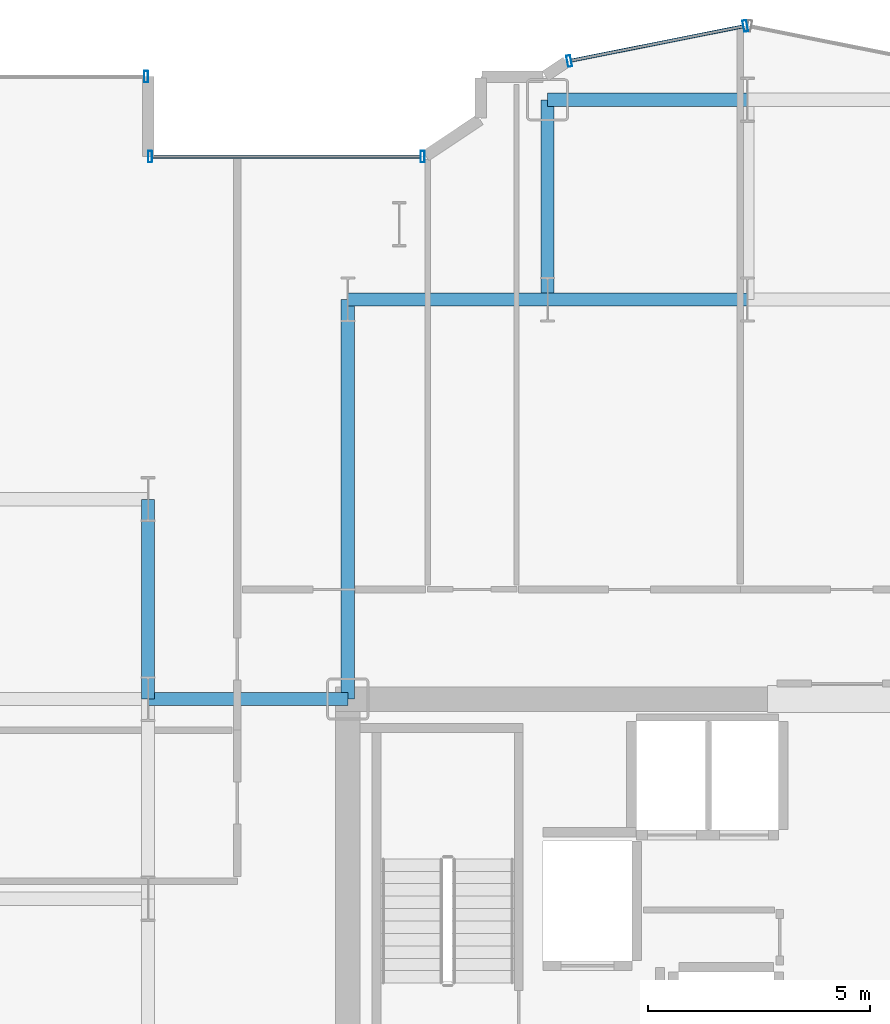
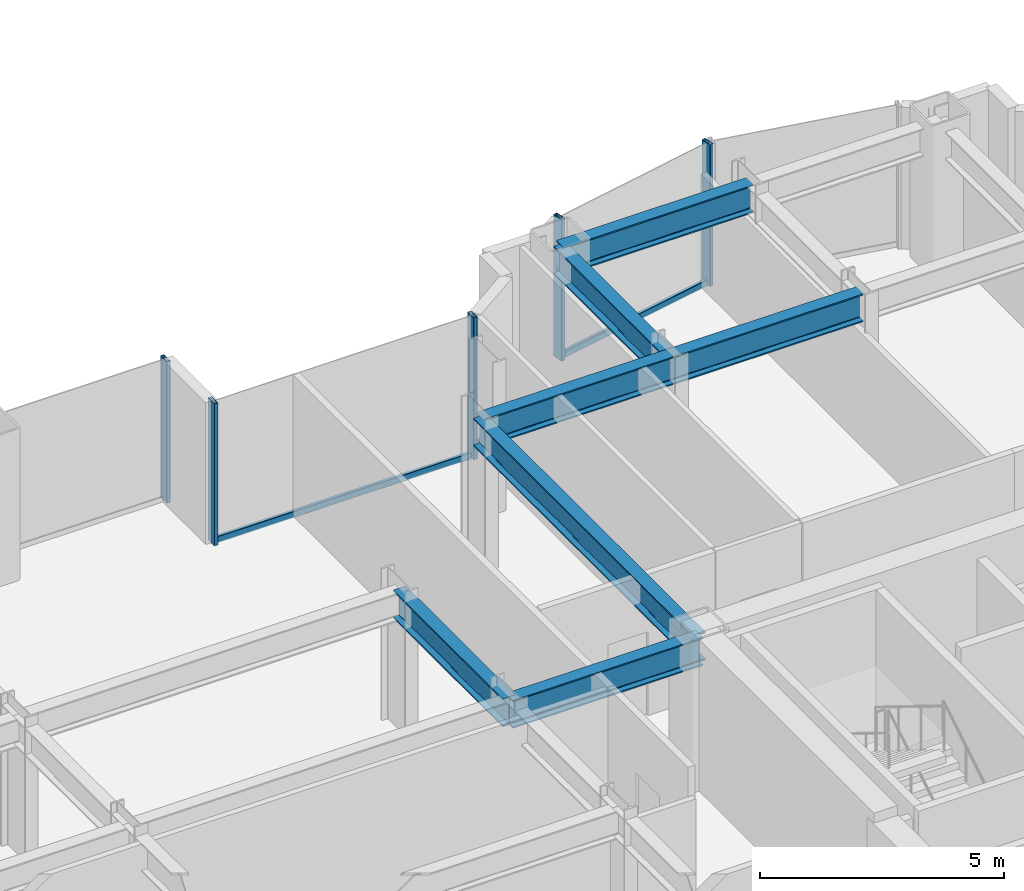
# One storey, part 10 of 25: 7 beams, 7 members, 3 elements without a shape of their own.
"""IFC4 building model written with IfcOpenShell, lengths in metres."""

from ifc_helpers import new_model, si_unit, direction, frame, origin, origin_2d, place, context, subcontext, project, spatial, hollow_rectangle, i_section, extrude, source, transform, mapped, material, layer, layer_set, material_profile, profile_set, type_object, element, aggregate, save


model = new_model("IFC4")

# Units and contexts
model_context = context("Model", 3, precision=1e-05, world=origin(), true_north=direction((0.0, 1.0)))
body_context = subcontext(model_context, "Body", "Model", "MODEL_VIEW")
ifc_project = project(units=[si_unit("LENGTHUNIT", "METRE"), si_unit("AREAUNIT", "SQUARE_METRE"), si_unit("VOLUMEUNIT", "CUBIC_METRE"), si_unit("PLANEANGLEUNIT", "RADIAN"), si_unit("MASSUNIT", "GRAM", prefix="KILO")], contexts=[model_context])

# Site, building, storey
site_placement = place(None, origin())
site = spatial("IfcSite", under=ifc_project, at=site_placement, CompositionType="ELEMENT")
building_placement = place(site_placement, origin())
building = spatial("IfcBuilding", under=site, at=building_placement, Name="Nefas-Gora Pilgrimage Tower", CompositionType="ELEMENT")
storey_placement = place(building_placement, frame((0.0, 0.0, 98.39990234375)))
storey = spatial("IfcBuildingStorey", under=building, at=storey_placement, Name="L23", CompositionType="ELEMENT", Elevation=98.39990234375)

# Beams
ifc_material_1 = material(Name="Steel S355", Category="steel")
ifc_material_profile_1 = material_profile(ifc_material_1, i_section(OverallWidth=0.300048828125, OverallDepth=0.699951171875, WebThickness=0.01708984375, FlangeThickness=0.031982421875, FilletRadius=0.027099609375, at=origin_2d()), Name="HEB 700")
ifc_profile_set_1 = profile_set([ifc_material_profile_1], Name="Steel S355")
beam_type = type_object("IfcBeamType", Name="BM-GIR-HEB700", PredefinedType="BEAM", material=ifc_profile_set_1)
shared_shape_1 = source(origin(), body_context, "Body", "SweptSolid", [
    extrude(i_section(OverallWidth=0.300048828125, OverallDepth=0.699951171875, WebThickness=0.01708984375, FlangeThickness=0.031982421875, FilletRadius=0.027099609375, at=origin_2d()), origin(), (0.0, 0.0, 1.0), 9.0),
])
beam_placement = place(storey_placement, frame((-11.25, 9.0, 3.2001953125), z_axis=(0.0, 1.0, 0.0), x_axis=(-1.0, 0.0, 0.0)))
element("IfcBeam", 1, at=beam_placement, inside=storey, type_object=beam_type, Name="L23 G-02 beam", PredefinedType="BEAM", context=body_context, shape_type="MappedRepresentation", body=[
    mapped(shared_shape_1, transform((0.0, 0.0, 0.0), x_axis=(1.0, 0.0, 0.0), y_axis=(0.0, 1.0, 0.0), z_axis=(0.0, 0.0, 1.0), scale=1.0)),
])
shared_shape_2 = source(origin(), body_context, "Body", "SweptSolid", [
    extrude(i_section(OverallWidth=0.300048828125, OverallDepth=0.699951171875, WebThickness=0.01708984375, FlangeThickness=0.031982421875, FilletRadius=0.027099609375, at=origin_2d()), origin(), (0.0, 0.0, 1.0), 4.5),
])
for number, where, z_axis, x_axis, name in (
    (2, (-15.75, 9.0, 3.2001953125), (0.0, 1.0, 0.0), (-1.0, 0.0, 0.0), "L23 G-02 beam"),
    (3, (-15.75, 9.0, 3.2001953125), (1.0, 0.0, 0.0), (0.0, 1.0, 0.0), "L23 G-02 beam"),
    (4, (-11.25, 18.0, 3.2001953125), (1.0, 0.0, 0.0), (0.0, 1.0, 0.0), "L23 G-02 beam"),
    (5, (-6.75, 18.0, 3.2001953125), (0.0, 1.0, 0.0), (-1.0, 0.0, 0.0), "L23 G-02 beam"),
    (6, (-6.75, 18.0, 3.2001953125), (1.0, 0.0, 0.0), (0.0, 1.0, 0.0), "L23 G-02 beam"),
    (7, (-6.75, 22.5, 3.2001953125), (1.0, 0.0, 0.0), (0.0, 1.0, 0.0), "L23 G-02 beam"),
):
    element("IfcBeam", number, at=place(storey_placement, frame(where, z_axis=z_axis, x_axis=x_axis)), inside=storey, type_object=beam_type, Name=name, PredefinedType="BEAM", context=body_context, shape_type="MappedRepresentation", body=[
        mapped(shared_shape_2, transform((0.0, 0.0, 0.0), x_axis=(1.0, 0.0, 0.0), y_axis=(0.0, 1.0, 0.0), z_axis=(0.0, 0.0, 1.0), scale=1.0)),
    ])

# Curtain wall, members
ifc_material_2 = material(Name="Dark ceramic-fritted solar-control aluminium-glass curtain wall", Category="aluminium")
ifc_layer_1 = layer(ifc_material_2, 0.219970703125)
ifc_layer_set_1 = layer_set([ifc_layer_1], Name="Dark ceramic-fritted solar-control aluminium-glass curtain wall")
curtain_wall_type_1 = type_object("IfcCurtainWallType", Name="CW-SYS-5", PredefinedType="NOTDEFINED", material=ifc_layer_set_1)
curtain_wall_1_placement = place(storey_placement, origin())
curtain_wall_1 = element("IfcCurtainWall", 8, at=curtain_wall_1_placement, inside=storey, type_object=curtain_wall_type_1, Name="L23 Unitised Curtain Wall CW5", PredefinedType="NOTDEFINED")
ifc_material_3 = material(Name="Anodised architectural aluminium", Category="aluminium")
ifc_material_profile_2 = material_profile(ifc_material_3, hollow_rectangle(XDim=0.090087890625, YDim=0.260009765625, WallThickness=0.006103515625, InnerFilletRadius=0.006103515625, OuterFilletRadius=0.011962890625, at=origin_2d()), Name="ALU MULLION 90x260")
ifc_profile_set_2 = profile_set([ifc_material_profile_2], Name="Anodised architectural aluminium")
member_type_1 = type_object("IfcMemberType", Name="CWM-MUL-5", PredefinedType="MULLION", material=ifc_profile_set_2)
shared_shape_3 = source(origin(), body_context, "Body", "SweptSolid", [
    extrude(hollow_rectangle(XDim=0.090087890625, YDim=0.260009765625, WallThickness=0.006103515625, InnerFilletRadius=0.006103515625, OuterFilletRadius=0.011962890625, at=origin_2d()), origin(), (0.0, 0.0, 1.0), 3.550048828125),
])
member_1_placement = place(storey_placement, frame((-2.294189453125, 24.16357421875, 0.0), z_axis=(0.0, 0.0, 1.0), x_axis=(-0.980782896852, -0.195102304554, 0.0)))
member_1 = element("IfcMember", 9, at=member_1_placement, type_object=member_type_1, Name="CW5 Mullion 1", PredefinedType="MULLION", context=body_context, shape_type="MappedRepresentation", body=[
    mapped(shared_shape_3, transform((0.0, 0.0, 0.0), x_axis=(1.0, 0.0, 0.0), y_axis=(0.0, 1.0, 0.0), z_axis=(0.0, 0.0, 1.0), scale=1.0)),
])
member_2_placement = place(storey_placement, frame((-6.26318359375, 23.3740234375, 0.0), z_axis=(0.0, 0.0, 1.0), x_axis=(-0.980782896852, -0.195102304554, 0.0)))
member_2 = element("IfcMember", 10, at=member_2_placement, type_object=member_type_1, Name="CW5 Mullion 2", PredefinedType="MULLION", context=body_context, shape_type="MappedRepresentation", body=[
    mapped(shared_shape_3, transform((0.0, 0.0, 0.0), x_axis=(1.0, 0.0, 0.0), y_axis=(0.0, 1.0, 0.0), z_axis=(0.0, 0.0, 1.0), scale=1.0)),
])

curtain_wall_2_placement = place(storey_placement, origin())
curtain_wall_2 = element("IfcCurtainWall", 11, at=curtain_wall_2_placement, inside=storey, type_object=curtain_wall_type_1, Name="L23 Unitised Curtain Wall CW5", PredefinedType="NOTDEFINED")
member_3_placement = place(storey_placement, frame((-9.56298828125, 21.219970703125, 0.0), z_axis=(0.0, 0.0, 1.0), x_axis=(-1.0, 0.0, 0.0)))
member_3 = element("IfcMember", 12, at=member_3_placement, type_object=member_type_1, Name="CW5 Mullion 1", PredefinedType="MULLION", context=body_context, shape_type="MappedRepresentation", body=[
    mapped(shared_shape_3, transform((0.0, 0.0, 0.0), x_axis=(1.0, 0.0, 0.0), y_axis=(0.0, 1.0, 0.0), z_axis=(0.0, 0.0, 1.0), scale=1.0)),
])
member_4_placement = place(storey_placement, frame((-15.705078125, 21.219970703125, 0.0), z_axis=(0.0, 0.0, 1.0), x_axis=(-1.0, 0.0, 0.0)))
member_4 = element("IfcMember", 13, at=member_4_placement, type_object=member_type_1, Name="CW5 Mullion 2", PredefinedType="MULLION", context=body_context, shape_type="MappedRepresentation", body=[
    mapped(shared_shape_3, transform((0.0, 0.0, 0.0), x_axis=(1.0, 0.0, 0.0), y_axis=(0.0, 1.0, 0.0), z_axis=(0.0, 0.0, 1.0), scale=1.0)),
])
ifc_material_profile_3 = material_profile(ifc_material_3, hollow_rectangle(XDim=0.080078125, YDim=0.159912109375, WallThickness=0.00439453125, InnerFilletRadius=0.00439453125, OuterFilletRadius=0.009033203125, at=origin_2d()), Name="ALU TRANSOM 80x160")
ifc_profile_set_3 = profile_set([ifc_material_profile_3], Name="Anodised architectural aluminium")
member_type_2 = type_object("IfcMemberType", Name="CWM-TRN-5", PredefinedType="USERDEFINED", material=ifc_profile_set_3)
shared_shape_4 = source(origin(), body_context, "Body", "SweptSolid", [
    extrude(hollow_rectangle(XDim=0.080078125, YDim=0.159912109375, WallThickness=0.00439453125, InnerFilletRadius=0.00439453125, OuterFilletRadius=0.009033203125, at=origin_2d()), origin(), (0.0, 0.0, 1.0), 6.052001953125),
])
member_5_placement = place(storey_placement, frame((-9.60791015625, 21.219970703125, 0.050048828125), z_axis=(-1.0, 0.0, 0.0), x_axis=(0.0, -1.0, 0.0)))
member_5 = element("IfcMember", 14, at=member_5_placement, type_object=member_type_2, Name="CW5 Spandrel Transom", ObjectType="TRANSOM", PredefinedType="USERDEFINED", context=body_context, shape_type="MappedRepresentation", body=[
    mapped(shared_shape_4, transform((0.0, 0.0, 0.0), x_axis=(1.0, 0.0, 0.0), y_axis=(0.0, 1.0, 0.0), z_axis=(0.0, 0.0, 1.0), scale=1.0)),
])
aggregate(curtain_wall_2, [member_3, member_4, member_5])

# Curtain wall, member
ifc_layer_2 = layer(ifc_material_2, 0.219970703125)
ifc_layer_set_2 = layer_set([ifc_layer_2], Name="Dark ceramic-fritted solar-control aluminium-glass curtain wall")
curtain_wall_type_2 = type_object("IfcCurtainWallType", Name="CW-SYS-2", PredefinedType="NOTDEFINED", material=ifc_layer_set_2)
curtain_wall_3_placement = place(storey_placement, origin())
curtain_wall_3 = element("IfcCurtainWall", 15, at=curtain_wall_3_placement, inside=storey, type_object=curtain_wall_type_2, Name="L23 Unitised Curtain Wall CW2", PredefinedType="NOTDEFINED")
ifc_material_profile_4 = material_profile(ifc_material_3, hollow_rectangle(XDim=0.090087890625, YDim=0.260009765625, WallThickness=0.006103515625, InnerFilletRadius=0.006103515625, OuterFilletRadius=0.011962890625, at=origin_2d()), Name="ALU MULLION 90x260")
ifc_profile_set_4 = profile_set([ifc_material_profile_4], Name="Anodised architectural aluminium")
member_type_3 = type_object("IfcMemberType", Name="CWM-MUL-2", PredefinedType="MULLION", material=ifc_profile_set_4)
shared_shape_5 = source(origin(), body_context, "Body", "SweptSolid", [
    extrude(hollow_rectangle(XDim=0.090087890625, YDim=0.260009765625, WallThickness=0.006103515625, InnerFilletRadius=0.006103515625, OuterFilletRadius=0.011962890625, at=origin_2d()), origin(), (0.0, 0.0, 1.0), 3.550048828125),
])
member_6_placement = place(storey_placement, frame((-15.794921875, 23.02001953125, 0.0), z_axis=(0.0, 0.0, 1.0), x_axis=(-1.0, 0.0, 0.0)))
member_6 = element("IfcMember", 16, at=member_6_placement, type_object=member_type_3, Name="CW2 Mullion 1", PredefinedType="MULLION", context=body_context, shape_type="MappedRepresentation", body=[
    mapped(shared_shape_5, transform((0.0, 0.0, 0.0), x_axis=(1.0, 0.0, 0.0), y_axis=(0.0, 1.0, 0.0), z_axis=(0.0, 0.0, 1.0), scale=1.0)),
])
aggregate(curtain_wall_3, [member_6])

# Member
shared_shape_6 = source(origin(), body_context, "Body", "SweptSolid", [
    extrude(hollow_rectangle(XDim=0.080078125, YDim=0.159912109375, WallThickness=0.00439453125, InnerFilletRadius=0.00439453125, OuterFilletRadius=0.009033203125, at=origin_2d()), origin(), (0.0, 0.0, 1.0), 3.95654296875),
])
member_7_placement = place(storey_placement, frame((-2.33837890625, 24.15478515625, 0.050048828125), z_axis=(-0.980781880918, -0.195107411605, 0.0), x_axis=(0.195107411605, -0.980781880918, 0.0)))
member_7 = element("IfcMember", 17, at=member_7_placement, type_object=member_type_2, Name="CW5 Spandrel Transom", ObjectType="TRANSOM", PredefinedType="USERDEFINED", context=body_context, shape_type="MappedRepresentation", body=[
    mapped(shared_shape_6, transform((0.0, 0.0, 0.0), x_axis=(1.0, 0.0, 0.0), y_axis=(0.0, 1.0, 0.0), z_axis=(0.0, 0.0, 1.0), scale=1.0)),
])

aggregate(curtain_wall_1, [member_1, member_2, member_7])

save(model, "model.ifc")
